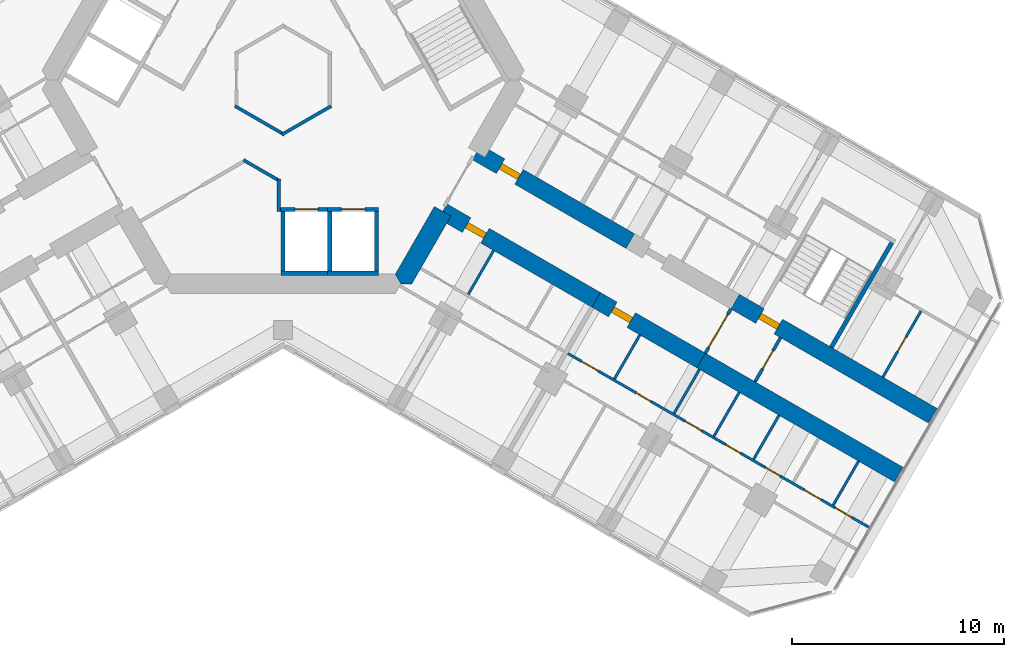
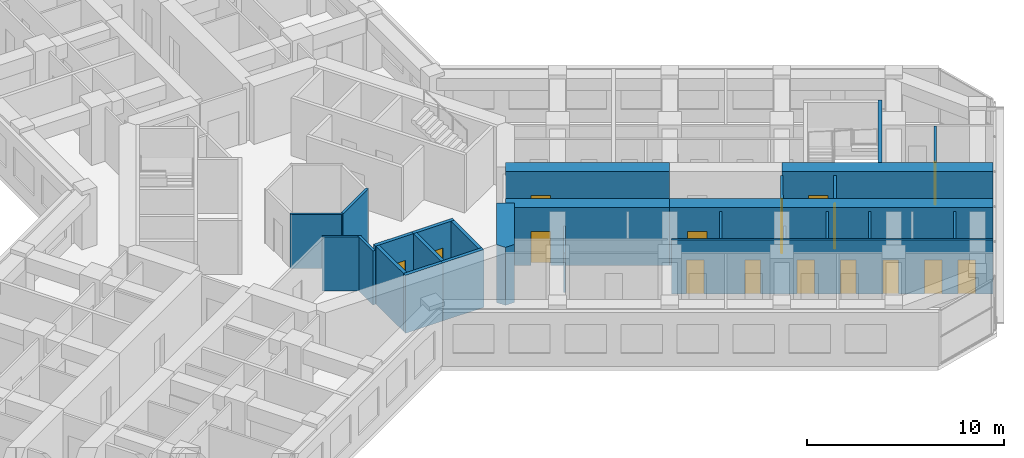
# One storey, part 14 of 19: 28 walls, 16 doors, 16 openings.
"""IFC4 building model written with IfcOpenShell, lengths in metres."""

from ifc_helpers import new_model, si_unit, direction, frame, frame_2d, origin, place, context, subcontext, project, spatial, polyline, rectangle, outline, extrude, material, layer, layer_set, type_object, element, fill, save


model = new_model("IFC4")

# Units and contexts
model_context = context("Model", 3, precision=1e-05, world=origin(), true_north=direction((0.0, 1.0)))
body_context = subcontext(model_context, "Body", "Model", "MODEL_VIEW")
ifc_project = project(units=[si_unit("LENGTHUNIT", "METRE"), si_unit("AREAUNIT", "SQUARE_METRE"), si_unit("VOLUMEUNIT", "CUBIC_METRE"), si_unit("PLANEANGLEUNIT", "RADIAN"), si_unit("MASSUNIT", "GRAM", prefix="KILO")], contexts=[model_context])

# Site, building, storey
site_placement = place(None, origin())
site = spatial("IfcSite", under=ifc_project, at=site_placement, CompositionType="ELEMENT")
building_placement = place(site_placement, origin())
building = spatial("IfcBuilding", under=site, at=building_placement, Name="Kosmar Iwan School Tower", CompositionType="ELEMENT")
storey_placement = place(building_placement, frame((0.0, 0.0, 138.199951171875)))
storey = spatial("IfcBuildingStorey", under=building, at=storey_placement, Name="L34", CompositionType="ELEMENT", Elevation=138.199951171875)

# Walls
ifc_material_1 = material(Name="Gypsum board on steel studs, fire-rated", Category="steel")
ifc_layer_1 = layer(ifc_material_1, 0.14990234375)
ifc_layer_set_1 = layer_set([ifc_layer_1], Name="Core room partition 150")
wall_type_1 = type_object("IfcWallType", Name="Core room partition 150", PredefinedType="PARTITIONING", material=ifc_layer_set_1)
wall_1_placement = place(storey_placement, frame((-1.864990234375, -3.77294921875, 0.0), z_axis=(0.0, 0.0, 1.0), x_axis=(0.866030907973, -0.499990466345, 0.0)))
element("IfcWall", 1, at=wall_1_placement, inside=storey, type_object=wall_type_1, Name="Core room partition L34-CW6", PredefinedType="PARTITIONING", context=body_context, shape_type="SweptSolid", body=[
    extrude(rectangle(XDim=1.99755859375, YDim=0.14990234375, at=frame_2d((0.998779296875, 0.0))), origin(), (0.0, 0.0, 1.0), 3.35009765625),
])
wall_2_placement = place(storey_placement, frame((-0.199951171875, -4.6591796875, 0.0), z_axis=(0.0, 0.0, 1.0), x_axis=(0.0, -1.0, 0.0)))
element("IfcWall", 2, at=wall_2_placement, inside=storey, type_object=wall_type_1, Name="Core room partition L34-CW7", PredefinedType="PARTITIONING", context=body_context, shape_type="SweptSolid", body=[
    extrude(rectangle(XDim=1.540771484375, YDim=0.14990234375, at=frame_2d((0.7705078125, 0.0))), origin(), (0.0, 0.0, 1.0), 3.35009765625),
])
for number, where, z_axis, x_axis, name in (
    (3, (2.264892578125, -1.232666015625, 0.0), (0.0, 0.0, 1.0), (-0.866011792348, -0.500023574959, 0.0), "Core room partition L34-CW8"),
    (4, (0.06494140625, -2.577880859375, 0.0), (0.0, 0.0, 1.0), (-0.866011792348, 0.500023574959, 0.0), "Core room partition L34-CW9"),
):
    element("IfcWall", number, at=place(storey_placement, frame(where, z_axis=z_axis, x_axis=x_axis)), inside=storey, type_object=wall_type_1, Name=name, PredefinedType="PARTITIONING", context=body_context, shape_type="SweptSolid", body=[
        extrude(rectangle(XDim=2.690185546875, YDim=0.14990234375, at=frame_2d((1.34521484375, 0.0))), origin(), (0.0, 0.0, 1.0), 3.35009765625),
    ])
ifc_material_2 = material(Name="Concrete C50/60", Category="concrete")
ifc_layer_2 = layer(ifc_material_2, 0.89990234375)
ifc_layer_set_2 = layer_set([ifc_layer_2], Name="Core wall 900")
wall_type_2 = type_object("IfcWallType", Name="Core wall 900", PredefinedType="SHEAR", material=ifc_layer_set_2)
wall_3_placement = place(storey_placement, origin())
element("IfcWall", 5, at=wall_3_placement, inside=storey, type_object=wall_type_2, Name="Core wall F330a", PredefinedType="SHEAR", context=body_context, shape_type="SweptSolid", body=[
    extrude(outline(polyline([(5.54248046875, -9.60009765625), (6.062255859375, -9.60009765625), (7.903564453125, -6.41064453125), (7.1240234375, -5.960693359375), (5.28271484375, -9.14990234375), (5.54248046875, -9.60009765625)])), origin(), (0.0, 0.0, 1.0), 3.60009765625),
])

# Wall, opening, door
ifc_material_3 = material(Name="Concrete C50/60", Category="concrete")
ifc_layer_3 = layer(ifc_material_3, 0.800048828125)
ifc_layer_set_3 = layer_set([ifc_layer_3], Name="Corridor buttress wall 800")
wall_type_3 = type_object("IfcWallType", Name="Corridor buttress wall 800", PredefinedType="SHEAR", material=ifc_layer_set_3)
wall_4_placement = place(storey_placement, frame((9.11376953125, -3.414306640625, 0.0), z_axis=(0.0, 0.0, 1.0), x_axis=(0.866026859388, -0.499997478812, 0.0)))
wall_4 = element("IfcWall", 6, at=wall_4_placement, inside=storey, type_object=wall_type_3, Name="Corridor wall CL", PredefinedType="SHEAR", context=body_context, shape_type="SweptSolid", body=[
    extrude(rectangle(XDim=8.35009765625, YDim=0.800048828125, at=frame_2d((4.175048828125, 0.0))), origin(), (0.0, 0.0, 1.0), 3.60009765625),
])
opening_1_placement = place(wall_4_placement, frame((1.300048828125, 0.0, 0.0)))
opening_1 = element("IfcOpeningElement", 7, at=opening_1_placement, cuts=wall_4, Name="Opening D1", PredefinedType="OPENING", context=body_context, shape_type="SweptSolid", body=[
    extrude(rectangle(XDim=1.0, YDim=2.10009765625, at=frame_2d((0.5, 1.050048828125))), frame((0.0, 0.412109375, 0.0), z_axis=(0.0, -1.0, 0.0), x_axis=(1.0, 0.0, 0.0)), (0.0, 0.0, 1.0), 0.823974609375),
])
ifc_material_4 = material(Name="Timber fire door in steel frame", Category="steel")
door_type_1 = type_object("IfcDoorType", Name="Flat entrance door 1000x2100", OperationType="SINGLE_SWING_LEFT", PredefinedType="DOOR", material=ifc_material_4)
door_1_placement = place(opening_1_placement, origin())
door_1 = element("IfcDoor", 8, at=door_1_placement, inside=storey, type_object=door_type_1, Name="Flat L34-CL1 entrance door", OperationType="SINGLE_SWING_RIGHT", OverallHeight=2.10009765625, OverallWidth=1.0, PredefinedType="DOOR", context=body_context, shape_type="SweptSolid", body=[
    extrude(rectangle(XDim=1.0, YDim=2.10009765625, at=frame_2d((0.5, 1.050048828125))), frame((0.0, 0.14990234375, 0.0), z_axis=(0.0, -1.0, 0.0), x_axis=(1.0, 0.0, 0.0)), (0.0, 0.0, 1.0), 0.300048828125),
])
fill(opening_1, door_1)

wall_5_placement = place(storey_placement, frame((21.281494140625, -10.439453125, 0.0), z_axis=(0.0, 0.0, 1.0), x_axis=(0.866032345022, -0.499987977232, 0.0)))
wall_5 = element("IfcWall", 9, at=wall_5_placement, inside=storey, type_object=wall_type_3, Name="Corridor wall CL bay 3", PredefinedType="SHEAR", context=body_context, shape_type="SweptSolid", body=[
    extrude(rectangle(XDim=10.744873046875, YDim=0.800048828125, at=frame_2d((5.37255859375, 0.0))), origin(), (0.0, 0.0, 1.0), 3.60009765625),
])
opening_2_placement = place(wall_5_placement, frame((1.35009765625, 0.0, 0.0)))
opening_2 = element("IfcOpeningElement", 10, at=opening_2_placement, cuts=wall_5, Name="Opening D6", PredefinedType="OPENING", context=body_context, shape_type="SweptSolid", body=[
    extrude(rectangle(XDim=1.0, YDim=2.10009765625, at=frame_2d((0.5, 1.050048828125))), frame((0.0, 0.412109375, 0.0), z_axis=(0.0, -1.0, 0.0), x_axis=(1.0, 0.0, 0.0)), (0.0, 0.0, 1.0), 0.823974609375),
])
ifc_material_5 = material(Name="Steel fire door", Category="steel")
door_type_2 = type_object("IfcDoorType", Name="Stair door 1000x2100", OperationType="SINGLE_SWING_LEFT", PredefinedType="DOOR", material=ifc_material_5)
door_2_placement = place(opening_2_placement, origin())
door_2 = element("IfcDoor", 11, at=door_2_placement, inside=storey, type_object=door_type_2, Name="Stair WS3 door L34", OperationType="SINGLE_SWING_LEFT", OverallHeight=2.10009765625, OverallWidth=1.0, PredefinedType="DOOR", context=body_context, shape_type="SweptSolid", body=[
    extrude(rectangle(XDim=1.0, YDim=2.10009765625, at=frame_2d((0.5, 1.050048828125))), frame((0.0, 0.14990234375, 0.0), z_axis=(0.0, -1.0, 0.0), x_axis=(1.0, 0.0, 0.0)), (0.0, 0.0, 1.0), 0.300048828125),
])
fill(opening_2, door_2)

wall_6_placement = place(storey_placement, frame((7.513916015625, -6.185546875, 0.0), z_axis=(0.0, 0.0, 1.0), x_axis=(0.866019549707, -0.500010139422, 0.0)))
wall_6 = element("IfcWall", 12, at=wall_6_placement, inside=storey, type_object=wall_type_3, Name="Corridor wall CR", PredefinedType="SHEAR", context=body_context, shape_type="SweptSolid", body=[
    extrude(rectangle(XDim=8.349853515625, YDim=0.800048828125, at=frame_2d((4.1748046875, 0.0))), origin(), (0.0, 0.0, 1.0), 3.60009765625),
])
opening_3_placement = place(wall_6_placement, frame((1.300048828125, 0.0, 0.0)))
opening_3 = element("IfcOpeningElement", 13, at=opening_3_placement, cuts=wall_6, Name="Opening D1", PredefinedType="OPENING", context=body_context, shape_type="SweptSolid", body=[
    extrude(rectangle(XDim=1.0, YDim=2.10009765625, at=frame_2d((0.5, 1.050048828125))), frame((0.0, 0.412109375, 0.0), z_axis=(0.0, -1.0, 0.0), x_axis=(1.0, 0.0, 0.0)), (0.0, 0.0, 1.0), 0.823974609375),
])
door_3_placement = place(opening_3_placement, origin())
door_3 = element("IfcDoor", 14, at=door_3_placement, inside=storey, type_object=door_type_1, Name="Flat L34-CR1 entrance door", OperationType="SINGLE_SWING_LEFT", OverallHeight=2.10009765625, OverallWidth=1.0, PredefinedType="DOOR", context=body_context, shape_type="SweptSolid", body=[
    extrude(rectangle(XDim=1.0, YDim=2.10009765625, at=frame_2d((0.5, 1.050048828125))), frame((0.0, 0.14990234375, 0.0), z_axis=(0.0, -1.0, 0.0), x_axis=(1.0, 0.0, 0.0)), (0.0, 0.0, 1.0), 0.300048828125),
])
fill(opening_3, door_3)

wall_7_placement = place(storey_placement, frame((14.7451171875, -10.360595703125, 0.0), z_axis=(0.0, 0.0, 1.0), x_axis=(0.866015111908, -0.50001782563, 0.0)))
wall_7 = element("IfcWall", 15, at=wall_7_placement, inside=storey, type_object=wall_type_3, Name="Corridor wall CR bay 2", PredefinedType="SHEAR", context=body_context, shape_type="SweptSolid", body=[
    extrude(rectangle(XDim=5.699951171875, YDim=0.800048828125, at=frame_2d((2.85009765625, 0.0))), origin(), (0.0, 0.0, 1.0), 3.60009765625),
])
opening_4_placement = place(wall_7_placement, frame((0.89990234375, 0.0, 0.0)))
opening_4 = element("IfcOpeningElement", 16, at=opening_4_placement, cuts=wall_7, Name="Opening D1", PredefinedType="OPENING", context=body_context, shape_type="SweptSolid", body=[
    extrude(rectangle(XDim=1.0, YDim=2.10009765625, at=frame_2d((0.5, 1.050048828125))), frame((0.0, 0.412109375, 0.0), z_axis=(0.0, -1.0, 0.0), x_axis=(1.0, 0.0, 0.0)), (0.0, 0.0, 1.0), 0.823974609375),
])
door_4_placement = place(opening_4_placement, origin())
door_4 = element("IfcDoor", 17, at=door_4_placement, inside=storey, type_object=door_type_1, Name="Flat L34-CR2 entrance door", OperationType="SINGLE_SWING_LEFT", OverallHeight=2.10009765625, OverallWidth=1.0, PredefinedType="DOOR", context=body_context, shape_type="SweptSolid", body=[
    extrude(rectangle(XDim=1.0, YDim=2.10009765625, at=frame_2d((0.5, 1.050048828125))), frame((0.0, 0.14990234375, 0.0), z_axis=(0.0, -1.0, 0.0), x_axis=(1.0, 0.0, 0.0)), (0.0, 0.0, 1.0), 0.300048828125),
])
fill(opening_4, door_4)

# Wall
wall_8_placement = place(storey_placement, frame((19.681396484375, -13.210693359375, 0.0), z_axis=(0.0, 0.0, 1.0), x_axis=(0.866028186671, -0.499995179869, 0.0)))
element("IfcWall", 18, at=wall_8_placement, inside=storey, type_object=wall_type_3, Name="Corridor wall CR bay 3", PredefinedType="SHEAR", context=body_context, shape_type="SweptSolid", body=[
    extrude(rectangle(XDim=10.7451171875, YDim=0.800048828125, at=frame_2d((5.37255859375, 0.0))), origin(), (0.0, 0.0, 1.0), 3.60009765625),
])

# Wall, opening, door
ifc_material_6 = material(Name="Gypsum board on steel studs, fire-rated", Category="steel")
ifc_layer_4 = layer(ifc_material_6, 0.14990234375)
ifc_layer_set_4 = layer_set([ifc_layer_4], Name="Corridor end wall 150")
wall_type_4 = type_object("IfcWallType", Name="Corridor end wall 150", PredefinedType="PARTITIONING", material=ifc_layer_set_4)
wall_9_placement = place(storey_placement, frame((22.2197265625, -14.21435546875, 0.0), z_axis=(0.0, 0.0, 1.0), x_axis=(0.499957262057, 0.866050077142, 0.0)))
wall_9 = element("IfcWall", 19, at=wall_9_placement, inside=storey, type_object=wall_type_4, Name="Partition L34-C-CE", PredefinedType="PARTITIONING", context=body_context, shape_type="SweptSolid", body=[
    extrude(rectangle(XDim=2.400146484375, YDim=0.14990234375, at=frame_2d((1.2001953125, 0.0))), origin(), (0.0, 0.0, 1.0), 3.35009765625),
])
opening_5_placement = place(wall_9_placement, frame((0.699951171875, 0.0, 0.0)))
opening_5 = element("IfcOpeningElement", 20, at=opening_5_placement, cuts=wall_9, Name="Opening D13", PredefinedType="OPENING", context=body_context, shape_type="SweptSolid", body=[
    extrude(rectangle(XDim=1.0, YDim=2.10009765625, at=frame_2d((0.5, 1.050048828125))), frame((0.0, 0.0869140625, 0.0), z_axis=(0.0, -1.0, 0.0), x_axis=(1.0, 0.0, 0.0)), (0.0, 0.0, 1.0), 0.173828125),
])
ifc_material_7 = material(Name="Timber fire door with vision panel", Category="wood")
door_type_3 = type_object("IfcDoorType", Name="Corridor end door 1000x2100", OperationType="SINGLE_SWING_LEFT", PredefinedType="DOOR", material=ifc_material_7)
door_5_placement = place(opening_5_placement, origin())
door_5 = element("IfcDoor", 21, at=door_5_placement, inside=storey, type_object=door_type_3, Name="Family study room door L34-C", OperationType="SINGLE_SWING_RIGHT", OverallHeight=2.10009765625, OverallWidth=1.0, PredefinedType="DOOR", context=body_context, shape_type="SweptSolid", body=[
    extrude(rectangle(XDim=1.0, YDim=2.10009765625, at=frame_2d((0.5, 1.050048828125))), frame((0.0, 0.02490234375, 0.0), z_axis=(0.0, -1.0, 0.0), x_axis=(1.0, 0.0, 0.0)), (0.0, 0.0, 1.0), 0.050048828125),
])
fill(opening_5, door_5)

wall_10_placement = place(storey_placement, frame((19.881591796875, -12.8642578125, 0.0), z_axis=(0.0, 0.0, 1.0), x_axis=(0.499957262057, 0.866050077142, 0.0)))
wall_10 = element("IfcWall", 22, at=wall_10_placement, inside=storey, type_object=wall_type_4, Name="Partition L34-C-HW", PredefinedType="PARTITIONING", context=body_context, shape_type="SweptSolid", body=[
    extrude(rectangle(XDim=2.400146484375, YDim=0.14990234375, at=frame_2d((1.2001953125, 0.0))), origin(), (0.0, 0.0, 1.0), 3.35009765625),
])
opening_6_placement = place(wall_10_placement, frame((0.300048828125, 0.0, 0.0)))
opening_6 = element("IfcOpeningElement", 23, at=opening_6_placement, cuts=wall_10, Name="Opening D9", PredefinedType="OPENING", context=body_context, shape_type="SweptSolid", body=[
    extrude(rectangle(XDim=1.800048828125, YDim=2.10009765625, at=frame_2d((0.89990234375, 1.050048828125))), frame((0.0, 0.0869140625, 0.0), z_axis=(0.0, -1.0, 0.0), x_axis=(1.0, 0.0, 0.0)), (0.0, 0.0, 1.0), 0.173828125),
])
ifc_material_8 = material(Name="Steel framed glazed smoke door", Category="steel")
door_type_4 = type_object("IfcDoorType", Name="Corridor smoke door pair 1800x2100", OperationType="DOUBLE_DOOR_DOUBLE_SWING", PredefinedType="DOOR", material=ifc_material_8)
door_6_placement = place(opening_6_placement, origin())
door_6 = element("IfcDoor", 24, at=door_6_placement, inside=storey, type_object=door_type_4, Name="Hashti vestibule smoke doors L34-C", OperationType="DOUBLE_DOOR_DOUBLE_SWING", OverallHeight=2.10009765625, OverallWidth=1.800048828125, PredefinedType="DOOR", context=body_context, shape_type="SweptSolid", body=[
    extrude(rectangle(XDim=1.800048828125, YDim=2.10009765625, at=frame_2d((0.89990234375, 1.050048828125))), frame((0.0, 0.02490234375, 0.0), z_axis=(0.0, -1.0, 0.0), x_axis=(1.0, 0.0, 0.0)), (0.0, 0.0, 1.0), 0.050048828125),
])
fill(opening_6, door_6)

ifc_material_9 = material(Name="Gypsum board on steel studs", Category="steel")
ifc_layer_5 = layer(ifc_material_9, 0.1201171875)
ifc_layer_set_5 = layer_set([ifc_layer_5], Name="Dwelling partition 120")
wall_type_5 = type_object("IfcWallType", Name="Dwelling partition 120", PredefinedType="PARTITIONING", material=ifc_layer_set_5)
wall_11_placement = place(storey_placement, frame((28.236572265625, -13.992919921875, 0.0), z_axis=(0.0, 0.0, 1.0), x_axis=(0.499971658126, 0.866041766355, 0.0)))
wall_11 = element("IfcWall", 25, at=wall_11_placement, inside=storey, type_object=wall_type_5, Name="Partition L34-CL2-TY", PredefinedType="PARTITIONING", context=body_context, shape_type="SweptSolid", body=[
    extrude(rectangle(XDim=3.590087890625, YDim=0.1201171875, at=frame_2d((1.794921875, 0.0))), origin(), (0.0, 0.0, 1.0), 3.35009765625),
])
opening_7_placement = place(wall_11_placement, frame((1.39501953125, 0.0, 0.0)))
opening_7 = element("IfcOpeningElement", 26, at=opening_7_placement, cuts=wall_11, Name="Opening D3", PredefinedType="OPENING", context=body_context, shape_type="SweptSolid", body=[
    extrude(rectangle(XDim=0.800048828125, YDim=2.10009765625, at=frame_2d((0.39990234375, 1.050048828125))), frame((0.0, 0.072021484375, 0.0), z_axis=(0.0, -1.0, 0.0), x_axis=(1.0, 0.0, 0.0)), (0.0, 0.0, 1.0), 0.14404296875),
])
ifc_material_10 = material(Name="Timber door in timber frame", Category="wood")
door_type_5 = type_object("IfcDoorType", Name="Sanitary room door 800x2100", OperationType="SINGLE_SWING_LEFT", PredefinedType="DOOR", material=ifc_material_10)
door_7_placement = place(opening_7_placement, origin())
door_7 = element("IfcDoor", 27, at=door_7_placement, inside=storey, type_object=door_type_5, Name="Shower room door L34-CL2-T4", OperationType="SINGLE_SWING_RIGHT", OverallHeight=2.10009765625, OverallWidth=0.800048828125, PredefinedType="DOOR", context=body_context, shape_type="SweptSolid", body=[
    extrude(rectangle(XDim=0.800048828125, YDim=2.10009765625, at=frame_2d((0.39990234375, 1.050048828125))), frame((0.0, 0.02490234375, 0.0), z_axis=(0.0, -1.0, 0.0), x_axis=(1.0, 0.0, 0.0)), (0.0, 0.0, 1.0), 0.050048828125),
])
fill(opening_7, door_7)

# Wall
wall_12_placement = place(storey_placement, frame((9.911865234375, -8.031982421875, 0.0), z_axis=(0.0, 0.0, 1.0), x_axis=(-0.500017192868, -0.86601547725, 0.0)))
element("IfcWall", 28, at=wall_12_placement, inside=storey, type_object=wall_type_5, Name="Partition L34-CR1-Y1", PredefinedType="PARTITIONING", context=body_context, shape_type="SweptSolid", body=[
    extrude(rectangle(XDim=2.39013671875, YDim=0.1201171875, at=frame_2d((1.195068359375, 0.0))), origin(), (0.0, 0.0, 1.0), 2.449951171875),
])

# Wall, openings, doors
wall_13_placement = place(storey_placement, frame((13.40673828125, -12.87890625, 0.0), z_axis=(0.0, 0.0, 1.0), x_axis=(0.86603037493, -0.499991389624, 0.0)))
wall_13 = element("IfcWall", 29, at=wall_13_placement, inside=storey, type_object=wall_type_5, Name="Partition L34-CR2-W1", PredefinedType="PARTITIONING", context=body_context, shape_type="SweptSolid", body=[
    extrude(rectangle(XDim=16.344970703125, YDim=0.1201171875, at=frame_2d((8.17236328125, 0.0))), origin(), (0.0, 0.0, 1.0), 3.35009765625),
])
opening_8_placement = place(wall_13_placement, frame((0.75, 0.0, 0.0)))
opening_8 = element("IfcOpeningElement", 30, at=opening_8_placement, cuts=wall_13, Name="Opening D2", PredefinedType="OPENING", context=body_context, shape_type="SweptSolid", body=[
    extrude(rectangle(XDim=0.89990234375, YDim=2.10009765625, at=frame_2d((0.449951171875, 1.050048828125))), frame((0.0, 0.072021484375, 0.0), z_axis=(0.0, -1.0, 0.0), x_axis=(1.0, 0.0, 0.0)), (0.0, 0.0, 1.0), 0.14404296875),
])
opening_9_placement = place(wall_13_placement, frame((3.72119140625, 0.0, 0.0)))
opening_9 = element("IfcOpeningElement", 31, at=opening_9_placement, cuts=wall_13, Name="Opening D3", PredefinedType="OPENING", context=body_context, shape_type="SweptSolid", body=[
    extrude(rectangle(XDim=0.800048828125, YDim=2.10009765625, at=frame_2d((0.39990234375, 1.050048828125))), frame((0.0, 0.072021484375, 0.0), z_axis=(0.0, -1.0, 0.0), x_axis=(1.0, 0.0, 0.0)), (0.0, 0.0, 1.0), 0.14404296875),
])
opening_10_placement = place(wall_13_placement, frame((6.373046875, 0.0, 0.0)))
opening_10 = element("IfcOpeningElement", 32, at=opening_10_placement, cuts=wall_13, Name="Opening D2", PredefinedType="OPENING", context=body_context, shape_type="SweptSolid", body=[
    extrude(rectangle(XDim=0.89990234375, YDim=2.10009765625, at=frame_2d((0.449951171875, 1.050048828125))), frame((0.0, 0.072021484375, 0.0), z_axis=(0.0, -1.0, 0.0), x_axis=(1.0, 0.0, 0.0)), (0.0, 0.0, 1.0), 0.14404296875),
])
opening_11_placement = place(wall_13_placement, frame((8.584716796875, 0.0, 0.0)))
opening_11 = element("IfcOpeningElement", 33, at=opening_11_placement, cuts=wall_13, Name="Opening D3", PredefinedType="OPENING", context=body_context, shape_type="SweptSolid", body=[
    extrude(rectangle(XDim=0.800048828125, YDim=2.10009765625, at=frame_2d((0.39990234375, 1.050048828125))), frame((0.0, 0.072021484375, 0.0), z_axis=(0.0, -1.0, 0.0), x_axis=(1.0, 0.0, 0.0)), (0.0, 0.0, 1.0), 0.14404296875),
])
opening_12_placement = place(wall_13_placement, frame((10.74609375, 0.0, 0.0)))
opening_12 = element("IfcOpeningElement", 34, at=opening_12_placement, cuts=wall_13, Name="Opening D3", PredefinedType="OPENING", context=body_context, shape_type="SweptSolid", body=[
    extrude(rectangle(XDim=0.800048828125, YDim=2.10009765625, at=frame_2d((0.39990234375, 1.050048828125))), frame((0.0, 0.072021484375, 0.0), z_axis=(0.0, -1.0, 0.0), x_axis=(1.0, 0.0, 0.0)), (0.0, 0.0, 1.0), 0.14404296875),
])
opening_13_placement = place(wall_13_placement, frame((12.857666015625, 0.0, 0.0)))
opening_13 = element("IfcOpeningElement", 35, at=opening_13_placement, cuts=wall_13, Name="Opening D2", PredefinedType="OPENING", context=body_context, shape_type="SweptSolid", body=[
    extrude(rectangle(XDim=0.89990234375, YDim=2.10009765625, at=frame_2d((0.449951171875, 1.050048828125))), frame((0.0, 0.072021484375, 0.0), z_axis=(0.0, -1.0, 0.0), x_axis=(1.0, 0.0, 0.0)), (0.0, 0.0, 1.0), 0.14404296875),
])
opening_14_placement = place(wall_13_placement, frame((14.548583984375, 0.0, 0.0)))
opening_14 = element("IfcOpeningElement", 36, at=opening_14_placement, cuts=wall_13, Name="Opening D2", PredefinedType="OPENING", context=body_context, shape_type="SweptSolid", body=[
    extrude(rectangle(XDim=0.89990234375, YDim=2.10009765625, at=frame_2d((0.449951171875, 1.050048828125))), frame((0.0, 0.072021484375, 0.0), z_axis=(0.0, -1.0, 0.0), x_axis=(1.0, 0.0, 0.0)), (0.0, 0.0, 1.0), 0.14404296875),
])
ifc_material_11 = material(Name="Timber door in timber frame", Category="wood")
door_type_6 = type_object("IfcDoorType", Name="Internal door 900x2100", OperationType="SINGLE_SWING_LEFT", PredefinedType="DOOR", material=ifc_material_11)
door_8_placement = place(opening_8_placement, origin())
door_8 = element("IfcDoor", 37, at=door_8_placement, inside=storey, type_object=door_type_6, Name="Entrance hall door L34-CR2-S1", OperationType="SINGLE_SWING_LEFT", OverallHeight=2.10009765625, OverallWidth=0.89990234375, PredefinedType="DOOR", context=body_context, shape_type="SweptSolid", body=[
    extrude(rectangle(XDim=0.89990234375, YDim=2.10009765625, at=frame_2d((0.449951171875, 1.050048828125))), frame((0.0, 0.02490234375, 0.0), z_axis=(0.0, -1.0, 0.0), x_axis=(1.0, 0.0, 0.0)), (0.0, 0.0, 1.0), 0.050048828125),
])
fill(opening_8, door_8)
door_9_placement = place(opening_10_placement, origin())
door_9 = element("IfcDoor", 38, at=door_9_placement, inside=storey, type_object=door_type_6, Name="Pantry door L34-CR2-S3", OperationType="SINGLE_SWING_LEFT", OverallHeight=2.10009765625, OverallWidth=0.89990234375, PredefinedType="DOOR", context=body_context, shape_type="SweptSolid", body=[
    extrude(rectangle(XDim=0.89990234375, YDim=2.10009765625, at=frame_2d((0.449951171875, 1.050048828125))), frame((0.0, 0.02490234375, 0.0), z_axis=(0.0, -1.0, 0.0), x_axis=(1.0, 0.0, 0.0)), (0.0, 0.0, 1.0), 0.050048828125),
])
fill(opening_10, door_9)
door_10_placement = place(opening_13_placement, origin())
door_10 = element("IfcDoor", 39, at=door_10_placement, inside=storey, type_object=door_type_6, Name="Utility room door L34-CR2-S6", OperationType="SINGLE_SWING_RIGHT", OverallHeight=2.10009765625, OverallWidth=0.89990234375, PredefinedType="DOOR", context=body_context, shape_type="SweptSolid", body=[
    extrude(rectangle(XDim=0.89990234375, YDim=2.10009765625, at=frame_2d((0.449951171875, 1.050048828125))), frame((0.0, 0.02490234375, 0.0), z_axis=(0.0, -1.0, 0.0), x_axis=(1.0, 0.0, 0.0)), (0.0, 0.0, 1.0), 0.050048828125),
])
fill(opening_13, door_10)
door_11_placement = place(opening_14_placement, origin())
door_11 = element("IfcDoor", 40, at=door_11_placement, inside=storey, type_object=door_type_6, Name="Dressing room door L34-CR2-S7", OperationType="SINGLE_SWING_LEFT", OverallHeight=2.10009765625, OverallWidth=0.89990234375, PredefinedType="DOOR", context=body_context, shape_type="SweptSolid", body=[
    extrude(rectangle(XDim=0.89990234375, YDim=2.10009765625, at=frame_2d((0.449951171875, 1.050048828125))), frame((0.0, 0.02490234375, 0.0), z_axis=(0.0, -1.0, 0.0), x_axis=(1.0, 0.0, 0.0)), (0.0, 0.0, 1.0), 0.050048828125),
])
fill(opening_14, door_11)
door_12_placement = place(opening_9_placement, origin())
door_12 = element("IfcDoor", 41, at=door_12_placement, inside=storey, type_object=door_type_5, Name="Bathroom door L34-CR2-S2", OperationType="SINGLE_SWING_RIGHT", OverallHeight=2.10009765625, OverallWidth=0.800048828125, PredefinedType="DOOR", context=body_context, shape_type="SweptSolid", body=[
    extrude(rectangle(XDim=0.800048828125, YDim=2.10009765625, at=frame_2d((0.39990234375, 1.050048828125))), frame((0.0, 0.02490234375, 0.0), z_axis=(0.0, -1.0, 0.0), x_axis=(1.0, 0.0, 0.0)), (0.0, 0.0, 1.0), 0.050048828125),
])
fill(opening_9, door_12)
door_13_placement = place(opening_11_placement, origin())
door_13 = element("IfcDoor", 42, at=door_13_placement, inside=storey, type_object=door_type_5, Name="WC door L34-CR2-S4", OperationType="SINGLE_SWING_RIGHT", OverallHeight=2.10009765625, OverallWidth=0.800048828125, PredefinedType="DOOR", context=body_context, shape_type="SweptSolid", body=[
    extrude(rectangle(XDim=0.800048828125, YDim=2.10009765625, at=frame_2d((0.39990234375, 1.050048828125))), frame((0.0, 0.02490234375, 0.0), z_axis=(0.0, -1.0, 0.0), x_axis=(1.0, 0.0, 0.0)), (0.0, 0.0, 1.0), 0.050048828125),
])
fill(opening_11, door_13)
door_14_placement = place(opening_12_placement, origin())
door_14 = element("IfcDoor", 43, at=door_14_placement, inside=storey, type_object=door_type_5, Name="Store door L34-CR2-S5", OperationType="SINGLE_SWING_LEFT", OverallHeight=2.10009765625, OverallWidth=0.800048828125, PredefinedType="DOOR", context=body_context, shape_type="SweptSolid", body=[
    extrude(rectangle(XDim=0.800048828125, YDim=2.10009765625, at=frame_2d((0.39990234375, 1.050048828125))), frame((0.0, 0.02490234375, 0.0), z_axis=(0.0, -1.0, 0.0), x_axis=(1.0, 0.0, 0.0)), (0.0, 0.0, 1.0), 0.050048828125),
])
fill(opening_12, door_14)

# Walls
wall_14_placement = place(storey_placement, frame((16.796875, -12.007080078125, 0.0), z_axis=(0.0, 0.0, 1.0), x_axis=(-0.500017192868, -0.86601547725, 0.0)))
element("IfcWall", 44, at=wall_14_placement, inside=storey, type_object=wall_type_5, Name="Partition L34-CR2-Y1", PredefinedType="PARTITIONING", context=body_context, shape_type="SweptSolid", body=[
    extrude(rectangle(XDim=2.39013671875, YDim=0.1201171875, at=frame_2d((1.195068359375, 0.0))), origin(), (0.0, 0.0, 1.0), 3.35009765625),
])
wall_15_placement = place(storey_placement, frame((19.604736328125, -13.628173828125, 0.0), z_axis=(0.0, 0.0, 1.0), x_axis=(-0.500017192868, -0.86601547725, 0.0)))
element("IfcWall", 45, at=wall_15_placement, inside=storey, type_object=wall_type_5, Name="Partition L34-CR2-Y2", PredefinedType="PARTITIONING", context=body_context, shape_type="SweptSolid", body=[
    extrude(rectangle(XDim=2.39013671875, YDim=0.1201171875, at=frame_2d((1.195068359375, 0.0))), origin(), (0.0, 0.0, 1.0), 2.449951171875),
])
for number, where, z_axis, x_axis, name in (
    (46, (21.476806640625, -14.708984375, 0.0), (0.0, 0.0, 1.0), (-0.500017192868, -0.86601547725, 0.0), "Partition L34-CR2-Y3"),
    (47, (23.3486328125, -15.789794921875, 0.0), (0.0, 0.0, 1.0), (-0.500017192868, -0.86601547725, 0.0), "Partition L34-CR2-Y4"),
    (48, (27.092529296875, -17.951171875, 0.0), (0.0, 0.0, 1.0), (-0.500017192868, -0.86601547725, 0.0), "Partition L34-CR2-Y6"),
):
    element("IfcWall", number, at=place(storey_placement, frame(where, z_axis=z_axis, x_axis=x_axis)), inside=storey, type_object=wall_type_5, Name=name, PredefinedType="PARTITIONING", context=body_context, shape_type="SweptSolid", body=[
        extrude(rectangle(XDim=2.39013671875, YDim=0.1201171875, at=frame_2d((1.195068359375, 0.0))), origin(), (0.0, 0.0, 1.0), 3.35009765625),
    ])
ifc_material_12 = material(Name="Concrete C35/45", Category="concrete")
ifc_layer_6 = layer(ifc_material_12, 0.199951171875)
ifc_layer_set_6 = layer_set([ifc_layer_6], Name="Escape stair wall 200")
wall_type_6 = type_object("IfcWallType", Name="Escape stair wall 200", PredefinedType="SHEAR", material=ifc_layer_set_6)
wall_16_placement = place(storey_placement, frame((25.8115234375, -12.593017578125, 0.0), z_axis=(0.0, 0.0, 1.0), x_axis=(0.500019744199, 0.866014004166, 0.0)))
element("IfcWall", 49, at=wall_16_placement, inside=storey, type_object=wall_type_6, Name="Stair WS3 wall", PredefinedType="SHEAR", context=body_context, shape_type="SweptSolid", body=[
    extrude(rectangle(XDim=5.900146484375, YDim=0.199951171875, at=frame_2d((2.9501953125, 0.0))), origin(), (0.0, 0.0, 1.0), 3.330078125),
])

# Wall, opening, door
ifc_material_13 = material(Name="Concrete C50/60", Category="concrete")
ifc_layer_7 = layer(ifc_material_13, 0.199951171875)
ifc_layer_set_7 = layer_set([ifc_layer_7], Name="Lift shaft wall 200")
wall_type_7 = type_object("IfcWallType", Name="Lift shaft wall 200", PredefinedType="SHEAR", material=ifc_layer_set_7)
wall_17_placement = place(storey_placement, frame((-0.125, -6.10009765625, 0.0), z_axis=(0.0, 0.0, 1.0), x_axis=(1.0, 0.0, 0.0)))
wall_17 = element("IfcWall", 50, at=wall_17_placement, inside=storey, type_object=wall_type_7, Name="Lift and stair front wall BC", PredefinedType="SHEAR", context=body_context, shape_type="SweptSolid", body=[
    extrude(rectangle(XDim=2.22509765625, YDim=0.199951171875, at=frame_2d((1.112548828125, 0.0))), origin(), (0.0, 0.0, 1.0), 3.60009765625),
])
opening_15_placement = place(wall_17_placement, frame((0.675048828125, 0.0, 0.0)))
opening_15 = element("IfcOpeningElement", 51, at=opening_15_placement, cuts=wall_17, Name="Opening LD1", PredefinedType="OPENING", context=body_context, shape_type="SweptSolid", body=[
    extrude(rectangle(XDim=1.10009765625, YDim=2.10009765625, at=frame_2d((0.550048828125, 1.050048828125))), frame((0.0, 0.112060546875, 0.0), z_axis=(0.0, -1.0, 0.0), x_axis=(1.0, 0.0, 0.0)), (0.0, 0.0, 1.0), 0.223876953125),
])
ifc_material_14 = material(Name="Stainless steel sliding lift door", Category="steel")
door_type_7 = type_object("IfcDoorType", Name="Lift landing door 1100x2100", OperationType="SLIDING_TO_LEFT", PredefinedType="DOOR", material=ifc_material_14)
door_15_placement = place(opening_15_placement, origin())
door_15 = element("IfcDoor", 52, at=door_15_placement, inside=storey, type_object=door_type_7, Name="Lift PL3 landing door L34", OperationType="SLIDING_TO_LEFT", OverallHeight=2.10009765625, OverallWidth=1.10009765625, PredefinedType="DOOR", context=body_context, shape_type="SweptSolid", body=[
    extrude(rectangle(XDim=1.10009765625, YDim=2.10009765625, at=frame_2d((0.550048828125, 1.050048828125))), frame((0.0, 0.02490234375, 0.0), z_axis=(0.0, -1.0, 0.0), x_axis=(1.0, 0.0, 0.0)), (0.0, 0.0, 1.0), 0.050048828125),
])
fill(opening_15, door_15)

# Wall
wall_18_placement = place(storey_placement, frame((-0.10009765625, -9.10009765625, 0.0), z_axis=(0.0, 0.0, 1.0), x_axis=(1.0, 0.0, 0.0)))
element("IfcWall", 53, at=wall_18_placement, inside=storey, type_object=wall_type_7, Name="Lift and stair back wall BC", PredefinedType="SHEAR", context=body_context, shape_type="SweptSolid", body=[
    extrude(rectangle(XDim=2.2001953125, YDim=0.199951171875, at=frame_2d((1.10009765625, 0.0))), origin(), (0.0, 0.0, 1.0), 3.60009765625),
])

# Wall, opening, door
wall_19_placement = place(storey_placement, frame((2.10009765625, -6.10009765625, 0.0), z_axis=(0.0, 0.0, 1.0), x_axis=(1.0, 0.0, 0.0)))
wall_19 = element("IfcWall", 54, at=wall_19_placement, inside=storey, type_object=wall_type_7, Name="Lift and stair front wall BC", PredefinedType="SHEAR", context=body_context, shape_type="SweptSolid", body=[
    extrude(rectangle(XDim=2.39990234375, YDim=0.199951171875, at=frame_2d((1.199951171875, 0.0))), origin(), (0.0, 0.0, 1.0), 3.60009765625),
])
opening_16_placement = place(wall_19_placement, frame((0.64990234375, 0.0, 0.0)))
opening_16 = element("IfcOpeningElement", 55, at=opening_16_placement, cuts=wall_19, Name="Opening LD1", PredefinedType="OPENING", context=body_context, shape_type="SweptSolid", body=[
    extrude(rectangle(XDim=1.10009765625, YDim=2.10009765625, at=frame_2d((0.550048828125, 1.050048828125))), frame((0.0, 0.112060546875, 0.0), z_axis=(0.0, -1.0, 0.0), x_axis=(1.0, 0.0, 0.0)), (0.0, 0.0, 1.0), 0.223876953125),
])
door_16_placement = place(opening_16_placement, origin())
door_16 = element("IfcDoor", 56, at=door_16_placement, inside=storey, type_object=door_type_7, Name="Lift PL4 landing door L34", OperationType="SLIDING_TO_LEFT", OverallHeight=2.10009765625, OverallWidth=1.10009765625, PredefinedType="DOOR", context=body_context, shape_type="SweptSolid", body=[
    extrude(rectangle(XDim=1.10009765625, YDim=2.10009765625, at=frame_2d((0.550048828125, 1.050048828125))), frame((0.0, 0.02490234375, 0.0), z_axis=(0.0, -1.0, 0.0), x_axis=(1.0, 0.0, 0.0)), (0.0, 0.0, 1.0), 0.050048828125),
])
fill(opening_16, door_16)

# Walls
wall_20_placement = place(storey_placement, frame((2.10009765625, -9.10009765625, 0.0), z_axis=(0.0, 0.0, 1.0), x_axis=(1.0, 0.0, 0.0)))
element("IfcWall", 57, at=wall_20_placement, inside=storey, type_object=wall_type_7, Name="Lift and stair back wall BC", PredefinedType="SHEAR", context=body_context, shape_type="SweptSolid", body=[
    extrude(rectangle(XDim=2.39990234375, YDim=0.199951171875, at=frame_2d((1.199951171875, 0.0))), origin(), (0.0, 0.0, 1.0), 3.60009765625),
])
for number, where, z_axis, x_axis, name in (
    (58, (0.0, -6.199951171875, 0.0), (0.0, 0.0, 1.0), (0.0, -1.0, 0.0), "Lift shaft wall BC 0"),
    (59, (2.199951171875, -6.199951171875, 0.0), (0.0, 0.0, 1.0), (0.0, -1.0, 0.0), "Lift shaft wall BC 1"),
    (60, (4.39990234375, -6.199951171875, 0.0), (0.0, 0.0, 1.0), (0.0, -1.0, 0.0), "Lift shaft wall BC 2"),
):
    element("IfcWall", number, at=place(storey_placement, frame(where, z_axis=z_axis, x_axis=x_axis)), inside=storey, type_object=wall_type_7, Name=name, PredefinedType="SHEAR", context=body_context, shape_type="SweptSolid", body=[
        extrude(rectangle(XDim=2.800048828125, YDim=0.199951171875, at=frame_2d((1.39990234375, 0.0))), origin(), (0.0, 0.0, 1.0), 3.60009765625),
    ])

save(model, "model.ifc")
